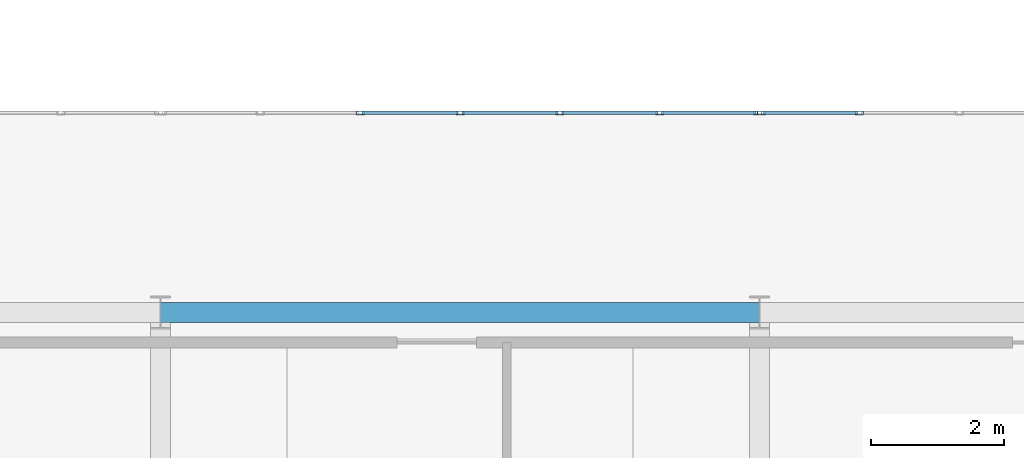
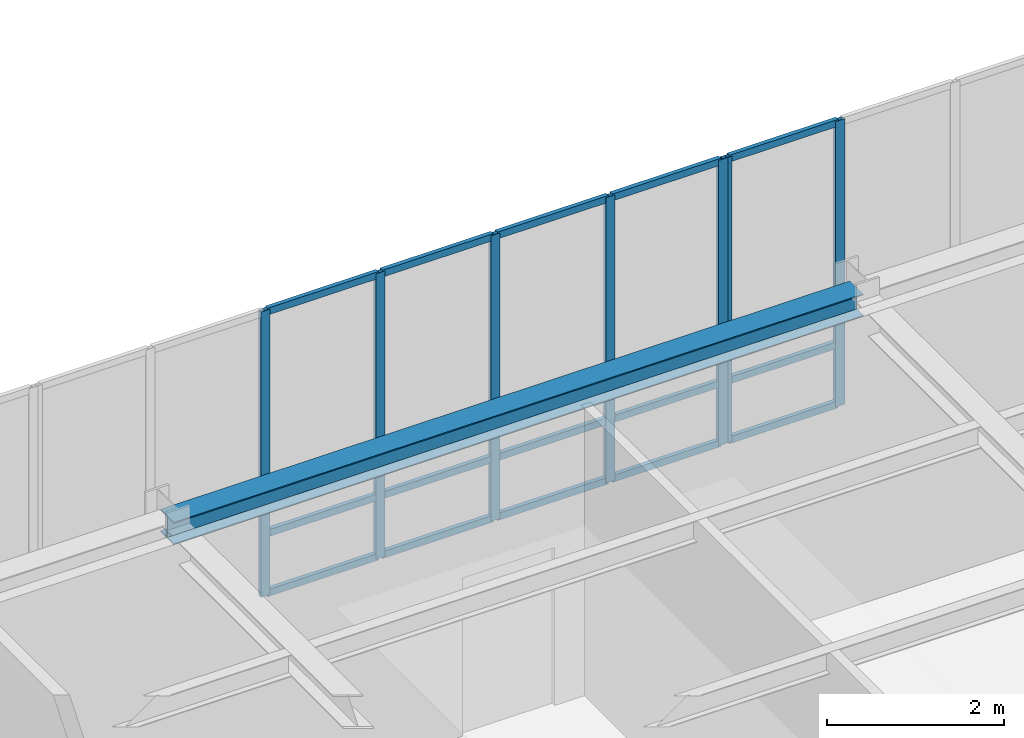
# One storey, part 32 of 108: 22 members, 1 beam, 2 elements without a shape of their own.
"""IFC4 building model written with IfcOpenShell, lengths in metres."""

from ifc_helpers import new_model, si_unit, direction, frame, origin, origin_2d, place, context, subcontext, project, spatial, hollow_rectangle, i_section, extrude, material, material_profile, profile_set, type_object, element, aggregate, save


model = new_model("IFC4")

# Units and contexts
model_context = context("Model", 3, precision=1e-05, world=origin(), true_north=direction((0.0, 1.0)))
body_context = subcontext(model_context, "Body", "Model", "MODEL_VIEW")
ifc_project = project(units=[si_unit("LENGTHUNIT", "METRE"), si_unit("AREAUNIT", "SQUARE_METRE"), si_unit("VOLUMEUNIT", "CUBIC_METRE"), si_unit("PLANEANGLEUNIT", "RADIAN"), si_unit("MASSUNIT", "GRAM", prefix="KILO")], contexts=[model_context])

# Site, building, storey
site_placement = place(None, origin())
site = spatial("IfcSite", under=ifc_project, at=site_placement, CompositionType="ELEMENT")
building_placement = place(site_placement, origin())
building = spatial("IfcBuilding", under=site, at=building_placement, Name="Lykobir Media Centre", CompositionType="ELEMENT")
storey_placement = place(building_placement, frame((0.0, 0.0, 15.0)))
storey = spatial("IfcBuildingStorey", under=building, at=storey_placement, Name="L03", CompositionType="ELEMENT", Elevation=15.0)

# Curtain wall, members
ifc_material_1 = material(Name="Anodized Aluminium AW-6060", Category="aluminium")
curtain_wall_type = type_object("IfcCurtainWallType", Name="CW-COURT-B", PredefinedType="NOTDEFINED", material=ifc_material_1)
curtain_wall_1_placement = place(storey_placement, origin())
curtain_wall_1 = element("IfcCurtainWall", 1, at=curtain_wall_1_placement, inside=storey, type_object=curtain_wall_type, Name="Curtain wall CW2-L03-0112", PredefinedType="NOTDEFINED")
ifc_material_profile_1 = material_profile(ifc_material_1, hollow_rectangle(XDim=0.054931640625, YDim=0.1201171875, WallThickness=0.003173828125, at=origin_2d()), Name="ALU MULLION 55x120")
ifc_profile_set_1 = profile_set([ifc_material_profile_1], Name="Anodized Aluminium AW-6060")
member_type_1 = type_object("IfcMemberType", Name="CWM-120", PredefinedType="MULLION", material=ifc_profile_set_1)
member_1_placement = place(storey_placement, frame((48.0, 21.0, 0.0), z_axis=(0.0, 0.0, 1.0), x_axis=(0.0, 1.0, 0.0)))
member_1 = element("IfcMember", 2, at=member_1_placement, type_object=member_type_1, Name="CW2-L03-0112 mullion 3", PredefinedType="MULLION", context=body_context, shape_type="SweptSolid", body=[
    extrude(hollow_rectangle(XDim=0.054931640625, YDim=0.1201171875, WallThickness=0.003173828125, at=origin_2d()), origin(), (0.0, 0.0, 1.0), 3.93994140625),
])
member_2_placement = place(storey_placement, frame((49.5, 21.0, 0.0), z_axis=(0.0, 0.0, 1.0), x_axis=(0.0, 1.0, 0.0)))
member_2 = element("IfcMember", 3, at=member_2_placement, type_object=member_type_1, Name="CW2-L03-0112 mullion 4", PredefinedType="MULLION", context=body_context, shape_type="SweptSolid", body=[
    extrude(hollow_rectangle(XDim=0.054931640625, YDim=0.1201171875, WallThickness=0.003173828125, at=origin_2d()), origin(), (0.0, 0.0, 1.0), 3.93994140625),
])
member_3_placement = place(storey_placement, frame((51.0, 21.0, 0.0), z_axis=(0.0, 0.0, 1.0), x_axis=(0.0, 1.0, 0.0)))
member_3 = element("IfcMember", 4, at=member_3_placement, type_object=member_type_1, Name="CW2-L03-0112 mullion 5", PredefinedType="MULLION", context=body_context, shape_type="SweptSolid", body=[
    extrude(hollow_rectangle(XDim=0.054931640625, YDim=0.1201171875, WallThickness=0.003173828125, at=origin_2d()), origin(), (0.0, 0.0, 1.0), 3.93994140625),
])
member_4_placement = place(storey_placement, frame((52.5, 21.0, 0.0), z_axis=(0.0, 0.0, 1.0), x_axis=(0.0, 1.0, 0.0)))
member_4 = element("IfcMember", 5, at=member_4_placement, type_object=member_type_1, Name="CW2-L03-0112 mullion 6", PredefinedType="MULLION", context=body_context, shape_type="SweptSolid", body=[
    extrude(hollow_rectangle(XDim=0.054931640625, YDim=0.1201171875, WallThickness=0.003173828125, at=origin_2d()), origin(), (0.0, 0.0, 1.0), 3.93994140625),
])
member_5_placement = place(storey_placement, frame((53.972412109375, 21.0, 0.0), z_axis=(0.0, 0.0, 1.0), x_axis=(0.0, 1.0, 0.0)))
member_5 = element("IfcMember", 6, at=member_5_placement, type_object=member_type_1, Name="CW2-L03-0112 mullion 7", PredefinedType="MULLION", context=body_context, shape_type="SweptSolid", body=[
    extrude(hollow_rectangle(XDim=0.054931640625, YDim=0.1201171875, WallThickness=0.003173828125, at=origin_2d()), origin(), (0.0, 0.0, 1.0), 3.93994140625),
])

curtain_wall_2_placement = place(storey_placement, origin())
curtain_wall_2 = element("IfcCurtainWall", 7, at=curtain_wall_2_placement, inside=storey, type_object=curtain_wall_type, Name="Curtain wall CW2-L03-0113", PredefinedType="NOTDEFINED")
member_6_placement = place(storey_placement, frame((54.027587890625, 21.0, 0.0), z_axis=(0.0, 0.0, 1.0), x_axis=(0.0, 1.0, 0.0)))
member_6 = element("IfcMember", 8, at=member_6_placement, type_object=member_type_1, Name="CW2-L03-0113 mullion 1", PredefinedType="MULLION", context=body_context, shape_type="SweptSolid", body=[
    extrude(hollow_rectangle(XDim=0.054931640625, YDim=0.1201171875, WallThickness=0.003173828125, at=origin_2d()), origin(), (0.0, 0.0, 1.0), 3.93994140625),
])
member_7_placement = place(storey_placement, frame((55.5, 21.0, 0.0), z_axis=(0.0, 0.0, 1.0), x_axis=(0.0, 1.0, 0.0)))
member_7 = element("IfcMember", 9, at=member_7_placement, type_object=member_type_1, Name="CW2-L03-0113 mullion 2", PredefinedType="MULLION", context=body_context, shape_type="SweptSolid", body=[
    extrude(hollow_rectangle(XDim=0.054931640625, YDim=0.1201171875, WallThickness=0.003173828125, at=origin_2d()), origin(), (0.0, 0.0, 1.0), 3.93994140625),
])

# Member
ifc_material_profile_2 = material_profile(ifc_material_1, hollow_rectangle(XDim=0.054931640625, YDim=0.094970703125, WallThickness=0.0029296875, at=origin_2d()), Name="ALU TRANSOM 55x95")
ifc_profile_set_2 = profile_set([ifc_material_profile_2], Name="Anodized Aluminium AW-6060")
member_type_2 = type_object("IfcMemberType", Name="CWT-095", PredefinedType="USERDEFINED", material=ifc_profile_set_2)
member_8_placement = place(storey_placement, frame((48.027587890625, 21.0, 0.027587890625), z_axis=(1.0, 0.0, 0.0), x_axis=(0.0, 1.0, 0.0)))
member_8 = element("IfcMember", 10, at=member_8_placement, type_object=member_type_2, Name="CW2-L03-0112 transom 3.1", ObjectType="TRANSOM", PredefinedType="USERDEFINED", context=body_context, shape_type="SweptSolid", body=[
    extrude(hollow_rectangle(XDim=0.054931640625, YDim=0.094970703125, WallThickness=0.0029296875, at=origin_2d()), origin(), (0.0, 0.0, 1.0), 1.44482421875),
])

member_9_placement = place(storey_placement, frame((48.027587890625, 21.0, 0.85009765625), z_axis=(1.0, 0.0, 0.0), x_axis=(0.0, 1.0, 0.0)))
member_9 = element("IfcMember", 11, at=member_9_placement, type_object=member_type_2, Name="CW2-L03-0112 transom 3.2", ObjectType="TRANSOM", PredefinedType="USERDEFINED", context=body_context, shape_type="SweptSolid", body=[
    extrude(hollow_rectangle(XDim=0.054931640625, YDim=0.094970703125, WallThickness=0.0029296875, at=origin_2d()), origin(), (0.0, 0.0, 1.0), 1.44482421875),
])

member_10_placement = place(storey_placement, frame((48.027587890625, 21.0, 3.91259765625), z_axis=(1.0, 0.0, 0.0), x_axis=(0.0, 1.0, 0.0)))
member_10 = element("IfcMember", 12, at=member_10_placement, type_object=member_type_2, Name="CW2-L03-0112 transom 3.3", ObjectType="TRANSOM", PredefinedType="USERDEFINED", context=body_context, shape_type="SweptSolid", body=[
    extrude(hollow_rectangle(XDim=0.054931640625, YDim=0.094970703125, WallThickness=0.0029296875, at=origin_2d()), origin(), (0.0, 0.0, 1.0), 1.44482421875),
])

member_11_placement = place(storey_placement, frame((49.527587890625, 21.0, 0.027587890625), z_axis=(1.0, 0.0, 0.0), x_axis=(0.0, 1.0, 0.0)))
member_11 = element("IfcMember", 13, at=member_11_placement, type_object=member_type_2, Name="CW2-L03-0112 transom 4.1", ObjectType="TRANSOM", PredefinedType="USERDEFINED", context=body_context, shape_type="SweptSolid", body=[
    extrude(hollow_rectangle(XDim=0.054931640625, YDim=0.094970703125, WallThickness=0.0029296875, at=origin_2d()), origin(), (0.0, 0.0, 1.0), 1.44482421875),
])

member_12_placement = place(storey_placement, frame((49.527587890625, 21.0, 0.85009765625), z_axis=(1.0, 0.0, 0.0), x_axis=(0.0, 1.0, 0.0)))
member_12 = element("IfcMember", 14, at=member_12_placement, type_object=member_type_2, Name="CW2-L03-0112 transom 4.2", ObjectType="TRANSOM", PredefinedType="USERDEFINED", context=body_context, shape_type="SweptSolid", body=[
    extrude(hollow_rectangle(XDim=0.054931640625, YDim=0.094970703125, WallThickness=0.0029296875, at=origin_2d()), origin(), (0.0, 0.0, 1.0), 1.44482421875),
])

member_13_placement = place(storey_placement, frame((49.527587890625, 21.0, 3.91259765625), z_axis=(1.0, 0.0, 0.0), x_axis=(0.0, 1.0, 0.0)))
member_13 = element("IfcMember", 15, at=member_13_placement, type_object=member_type_2, Name="CW2-L03-0112 transom 4.3", ObjectType="TRANSOM", PredefinedType="USERDEFINED", context=body_context, shape_type="SweptSolid", body=[
    extrude(hollow_rectangle(XDim=0.054931640625, YDim=0.094970703125, WallThickness=0.0029296875, at=origin_2d()), origin(), (0.0, 0.0, 1.0), 1.44482421875),
])

member_14_placement = place(storey_placement, frame((51.027587890625, 21.0, 0.027587890625), z_axis=(1.0, 0.0, 0.0), x_axis=(0.0, 1.0, 0.0)))
member_14 = element("IfcMember", 16, at=member_14_placement, type_object=member_type_2, Name="CW2-L03-0112 transom 5.1", ObjectType="TRANSOM", PredefinedType="USERDEFINED", context=body_context, shape_type="SweptSolid", body=[
    extrude(hollow_rectangle(XDim=0.054931640625, YDim=0.094970703125, WallThickness=0.0029296875, at=origin_2d()), origin(), (0.0, 0.0, 1.0), 1.44482421875),
])

member_15_placement = place(storey_placement, frame((51.027587890625, 21.0, 0.85009765625), z_axis=(1.0, 0.0, 0.0), x_axis=(0.0, 1.0, 0.0)))
member_15 = element("IfcMember", 17, at=member_15_placement, type_object=member_type_2, Name="CW2-L03-0112 transom 5.2", ObjectType="TRANSOM", PredefinedType="USERDEFINED", context=body_context, shape_type="SweptSolid", body=[
    extrude(hollow_rectangle(XDim=0.054931640625, YDim=0.094970703125, WallThickness=0.0029296875, at=origin_2d()), origin(), (0.0, 0.0, 1.0), 1.44482421875),
])

member_16_placement = place(storey_placement, frame((51.027587890625, 21.0, 3.91259765625), z_axis=(1.0, 0.0, 0.0), x_axis=(0.0, 1.0, 0.0)))
member_16 = element("IfcMember", 18, at=member_16_placement, type_object=member_type_2, Name="CW2-L03-0112 transom 5.3", ObjectType="TRANSOM", PredefinedType="USERDEFINED", context=body_context, shape_type="SweptSolid", body=[
    extrude(hollow_rectangle(XDim=0.054931640625, YDim=0.094970703125, WallThickness=0.0029296875, at=origin_2d()), origin(), (0.0, 0.0, 1.0), 1.44482421875),
])

member_17_placement = place(storey_placement, frame((52.527587890625, 21.0, 0.027587890625), z_axis=(1.0, 0.0, 0.0), x_axis=(0.0, 1.0, 0.0)))
member_17 = element("IfcMember", 19, at=member_17_placement, type_object=member_type_2, Name="CW2-L03-0112 transom 6.1", ObjectType="TRANSOM", PredefinedType="USERDEFINED", context=body_context, shape_type="SweptSolid", body=[
    extrude(hollow_rectangle(XDim=0.054931640625, YDim=0.094970703125, WallThickness=0.0029296875, at=origin_2d()), origin(), (0.0, 0.0, 1.0), 1.41748046875),
])

member_18_placement = place(storey_placement, frame((52.527587890625, 21.0, 0.85009765625), z_axis=(1.0, 0.0, 0.0), x_axis=(0.0, 1.0, 0.0)))
member_18 = element("IfcMember", 20, at=member_18_placement, type_object=member_type_2, Name="CW2-L03-0112 transom 6.2", ObjectType="TRANSOM", PredefinedType="USERDEFINED", context=body_context, shape_type="SweptSolid", body=[
    extrude(hollow_rectangle(XDim=0.054931640625, YDim=0.094970703125, WallThickness=0.0029296875, at=origin_2d()), origin(), (0.0, 0.0, 1.0), 1.41748046875),
])

member_19_placement = place(storey_placement, frame((52.527587890625, 21.0, 3.91259765625), z_axis=(1.0, 0.0, 0.0), x_axis=(0.0, 1.0, 0.0)))
member_19 = element("IfcMember", 21, at=member_19_placement, type_object=member_type_2, Name="CW2-L03-0112 transom 6.3", ObjectType="TRANSOM", PredefinedType="USERDEFINED", context=body_context, shape_type="SweptSolid", body=[
    extrude(hollow_rectangle(XDim=0.054931640625, YDim=0.094970703125, WallThickness=0.0029296875, at=origin_2d()), origin(), (0.0, 0.0, 1.0), 1.41748046875),
])

aggregate(curtain_wall_1, [member_1, member_2, member_3, member_4, member_5, member_8, member_9, member_10, member_11, member_12, member_13, member_14, member_15, member_16, member_17, member_18, member_19])

member_20_placement = place(storey_placement, frame((54.054931640625, 21.0, 0.027587890625), z_axis=(1.0, 0.0, 0.0), x_axis=(0.0, 1.0, 0.0)))
member_20 = element("IfcMember", 22, at=member_20_placement, type_object=member_type_2, Name="CW2-L03-0113 transom 1.1", ObjectType="TRANSOM", PredefinedType="USERDEFINED", context=body_context, shape_type="SweptSolid", body=[
    extrude(hollow_rectangle(XDim=0.054931640625, YDim=0.094970703125, WallThickness=0.0029296875, at=origin_2d()), origin(), (0.0, 0.0, 1.0), 1.41748046875),
])

member_21_placement = place(storey_placement, frame((54.054931640625, 21.0, 0.85009765625), z_axis=(1.0, 0.0, 0.0), x_axis=(0.0, 1.0, 0.0)))
member_21 = element("IfcMember", 23, at=member_21_placement, type_object=member_type_2, Name="CW2-L03-0113 transom 1.2", ObjectType="TRANSOM", PredefinedType="USERDEFINED", context=body_context, shape_type="SweptSolid", body=[
    extrude(hollow_rectangle(XDim=0.054931640625, YDim=0.094970703125, WallThickness=0.0029296875, at=origin_2d()), origin(), (0.0, 0.0, 1.0), 1.41748046875),
])

member_22_placement = place(storey_placement, frame((54.054931640625, 21.0, 3.91259765625), z_axis=(1.0, 0.0, 0.0), x_axis=(0.0, 1.0, 0.0)))
member_22 = element("IfcMember", 24, at=member_22_placement, type_object=member_type_2, Name="CW2-L03-0113 transom 1.3", ObjectType="TRANSOM", PredefinedType="USERDEFINED", context=body_context, shape_type="SweptSolid", body=[
    extrude(hollow_rectangle(XDim=0.054931640625, YDim=0.094970703125, WallThickness=0.0029296875, at=origin_2d()), origin(), (0.0, 0.0, 1.0), 1.41748046875),
])

aggregate(curtain_wall_2, [member_6, member_7, member_20, member_21, member_22])

# Beam
ifc_material_2 = material(Name="Steel S355", Category="steel")
ifc_material_profile_3 = material_profile(ifc_material_2, i_section(OverallWidth=0.300048828125, OverallDepth=0.31005859375, WebThickness=0.009033203125, FlangeThickness=0.015380859375, at=origin_2d()), Name="HEA 320")
ifc_profile_set_3 = profile_set([ifc_material_profile_3], Name="Steel S355")
beam_type = type_object("IfcBeamType", Name="SP-HEA320", PredefinedType="SPANDREL", material=ifc_profile_set_3)
beam_placement = place(storey_placement, frame((45.0, 18.0, 3.804931640625), z_axis=(1.0, 0.0, 0.0), x_axis=(0.0, 1.0, 0.0)))
element("IfcBeam", 25, at=beam_placement, inside=storey, type_object=beam_type, Name="Beam BM-L03-0450-0180-0540-0180-1880", PredefinedType="SPANDREL", context=body_context, shape_type="SweptSolid", body=[
    extrude(i_section(OverallWidth=0.300048828125, OverallDepth=0.31005859375, WebThickness=0.009033203125, FlangeThickness=0.015380859375, at=origin_2d()), origin(), (0.0, 0.0, 1.0), 9.0),
])

save(model, "model.ifc")
